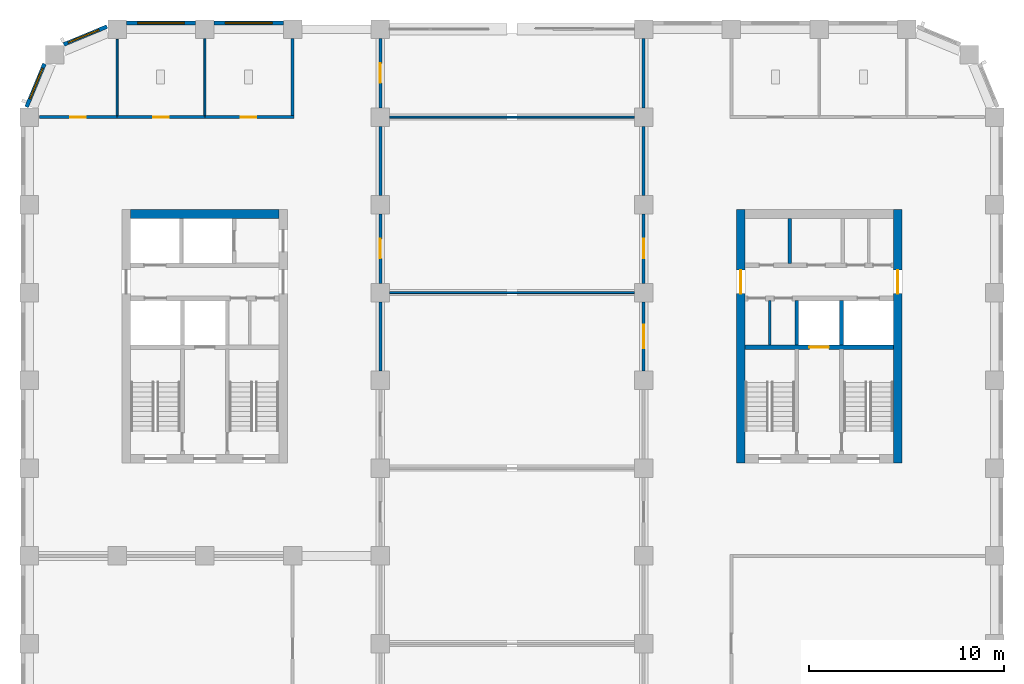
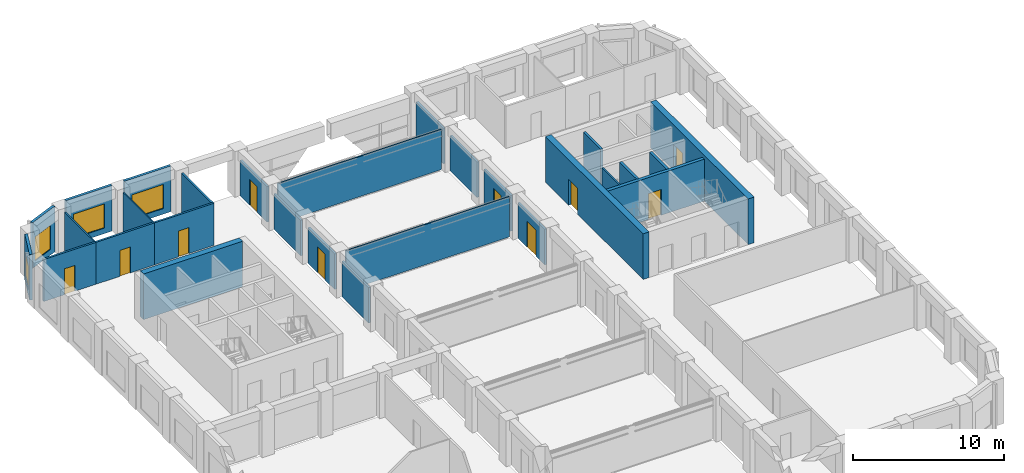
# One storey, part 9 of 14: 28 walls, 10 doors, 4 windows, 14 openings.
"""IFC4 building model written with IfcOpenShell, lengths in metres."""

from ifc_helpers import new_model, si_unit, direction, frame, frame_2d, origin, place, context, subcontext, project, spatial, rectangle, extrude, material, layer, layer_set, type_object, element, fill, save


model = new_model("IFC4")

# Units and contexts
model_context = context("Model", 3, precision=1e-05, world=origin(), true_north=direction((0.0, 1.0)))
body_context = subcontext(model_context, "Body", "Model", "MODEL_VIEW")
ifc_project = project(units=[si_unit("LENGTHUNIT", "METRE"), si_unit("AREAUNIT", "SQUARE_METRE"), si_unit("VOLUMEUNIT", "CUBIC_METRE"), si_unit("PLANEANGLEUNIT", "RADIAN"), si_unit("MASSUNIT", "GRAM", prefix="KILO")], contexts=[model_context])

# Site, building, storey
site_placement = place(None, origin())
site = spatial("IfcSite", under=ifc_project, at=site_placement, CompositionType="ELEMENT")
building_placement = place(site_placement, origin())
building = spatial("IfcBuilding", under=site, at=building_placement, Name="Girih Gate Residences", CompositionType="ELEMENT")
storey_placement = place(building_placement, frame((0.0, 0.0, 172.60009765625)))
storey = spatial("IfcBuildingStorey", under=building, at=storey_placement, Name="L47", CompositionType="ELEMENT", Elevation=172.60009765625)

# Wall, opening, door
ifc_material_1 = material(Name="Gypsum board on steel studs", Category="steel")
ifc_layer_1 = layer(ifc_material_1, 0.14990234375)
ifc_layer_set_1 = layer_set([ifc_layer_1], Name="Compartment wall 150 mm")
wall_type_1 = type_object("IfcWallType", Name="Compartment wall 150 mm", PredefinedType="PARTITIONING", material=ifc_layer_set_1)
wall_1_placement = place(storey_placement, frame((31.5, 31.97509765625, 0.0), z_axis=(0.0, 0.0, 1.0), x_axis=(0.0, 1.0, 0.0)))
wall_1 = element("IfcWall", 1, at=wall_1_placement, inside=storey, type_object=wall_type_1, Name="L47 partition", PredefinedType="PARTITIONING", context=body_context, shape_type="SweptSolid", body=[
    extrude(rectangle(XDim=3.5498046875, YDim=0.14990234375, at=frame_2d((1.77490234375, 0.0))), origin(), (0.0, 0.0, 1.0), 2.8798828125),
])
opening_1_placement = place(wall_1_placement, frame((1.175048828125, 0.0, 0.0)))
opening_1 = element("IfcOpeningElement", 2, at=opening_1_placement, cuts=wall_1, Name="Opening D-L47-S-005", PredefinedType="OPENING", context=body_context, shape_type="SweptSolid", body=[
    extrude(rectangle(XDim=1.199951171875, YDim=2.10009765625, at=frame_2d((0.60009765625, 1.050048828125))), frame((0.0, 0.0849609375, 0.0), z_axis=(0.0, -1.0, 0.0), x_axis=(1.0, 0.0, 0.0)), (0.0, 0.0, 1.0), 0.169921875),
])
ifc_material_2 = material(Name="Timber, fire-rated core", Category="wood")
door_type_1 = type_object("IfcDoorType", Name="Gallery fire door 1200x2100 FD30S", OperationType="SINGLE_SWING_LEFT", PredefinedType="DOOR", material=ifc_material_2)
door_1_placement = place(opening_1_placement, origin())
door_1 = element("IfcDoor", 3, at=door_1_placement, inside=storey, type_object=door_type_1, Name="Door L47-005", OperationType="SINGLE_SWING_LEFT", OverallHeight=2.10009765625, OverallWidth=1.199951171875, PredefinedType="DOOR", context=body_context, shape_type="SweptSolid", body=[
    extrude(rectangle(XDim=1.199951171875, YDim=2.10009765625, at=frame_2d((0.60009765625, 1.050048828125))), frame((0.0, 0.02490234375, 0.0), z_axis=(0.0, -1.0, 0.0), x_axis=(1.0, 0.0, 0.0)), (0.0, 0.0, 1.0), 0.050048828125),
])
fill(opening_1, door_1)

# Wall
wall_2_placement = place(storey_placement, frame((18.0, 31.97509765625, 0.0), z_axis=(0.0, 0.0, 1.0), x_axis=(0.0, 1.0, 0.0)))
element("IfcWall", 4, at=wall_2_placement, inside=storey, type_object=wall_type_1, Name="L47 partition", PredefinedType="PARTITIONING", context=body_context, shape_type="SweptSolid", body=[
    extrude(rectangle(XDim=3.5498046875, YDim=0.14990234375, at=frame_2d((1.77490234375, 0.0))), origin(), (0.0, 0.0, 1.0), 2.8798828125),
])

# Wall, opening, door
wall_3_placement = place(storey_placement, frame((31.5, 36.47509765625, 0.0), z_axis=(0.0, 0.0, 1.0), x_axis=(0.0, 1.0, 0.0)))
wall_3 = element("IfcWall", 5, at=wall_3_placement, inside=storey, type_object=wall_type_1, Name="L47 partition", PredefinedType="PARTITIONING", context=body_context, shape_type="SweptSolid", body=[
    extrude(rectangle(XDim=3.5498046875, YDim=0.14990234375, at=frame_2d((1.77490234375, 0.0))), origin(), (0.0, 0.0, 1.0), 2.8798828125),
])
opening_2_placement = place(wall_3_placement, frame((1.27490234375, 0.0, 0.0)))
opening_2 = element("IfcOpeningElement", 6, at=opening_2_placement, cuts=wall_3, Name="Opening D-L47-S-007", PredefinedType="OPENING", context=body_context, shape_type="SweptSolid", body=[
    extrude(rectangle(XDim=1.0, YDim=2.10009765625, at=frame_2d((0.5, 1.050048828125))), frame((0.0, 0.0849609375, 0.0), z_axis=(0.0, -1.0, 0.0), x_axis=(1.0, 0.0, 0.0)), (0.0, 0.0, 1.0), 0.169921875),
])
door_type_2 = type_object("IfcDoorType", Name="Amenity door 1000x2100 FD30S", OperationType="SINGLE_SWING_LEFT", PredefinedType="DOOR", material=ifc_material_2)
door_2_placement = place(opening_2_placement, origin())
door_2 = element("IfcDoor", 7, at=door_2_placement, inside=storey, type_object=door_type_2, Name="Door L47-007", OperationType="SINGLE_SWING_RIGHT", OverallHeight=2.10009765625, OverallWidth=1.0, PredefinedType="DOOR", context=body_context, shape_type="SweptSolid", body=[
    extrude(rectangle(XDim=1.0, YDim=2.10009765625, at=frame_2d((0.5, 1.050048828125))), frame((0.0, 0.02490234375, 0.0), z_axis=(0.0, -1.0, 0.0), x_axis=(1.0, 0.0, 0.0)), (0.0, 0.0, 1.0), 0.050048828125),
])
fill(opening_2, door_2)

# Wall
wall_4_placement = place(storey_placement, frame((31.5, 40.97509765625, 0.0), z_axis=(0.0, 0.0, 1.0), x_axis=(0.0, 1.0, 0.0)))
element("IfcWall", 8, at=wall_4_placement, inside=storey, type_object=wall_type_1, Name="L47 partition", PredefinedType="PARTITIONING", context=body_context, shape_type="SweptSolid", body=[
    extrude(rectangle(XDim=3.5498046875, YDim=0.14990234375, at=frame_2d((1.77490234375, 0.0))), origin(), (0.0, 0.0, 1.0), 2.8798828125),
])

# Wall, opening, door
wall_5_placement = place(storey_placement, frame((18.0, 40.02490234375, 0.0), z_axis=(0.0, 0.0, 1.0), x_axis=(0.0, -1.0, 0.0)))
wall_5 = element("IfcWall", 9, at=wall_5_placement, inside=storey, type_object=wall_type_1, Name="L47 partition", PredefinedType="PARTITIONING", context=body_context, shape_type="SweptSolid", body=[
    extrude(rectangle(XDim=3.5498046875, YDim=0.14990234375, at=frame_2d((1.77490234375, 0.0))), origin(), (0.0, 0.0, 1.0), 2.8798828125),
])
opening_3_placement = place(wall_5_placement, frame((1.27490234375, 0.0, 0.0)))
opening_3 = element("IfcOpeningElement", 10, at=opening_3_placement, cuts=wall_5, Name="Opening D-L47-S-008", PredefinedType="OPENING", context=body_context, shape_type="SweptSolid", body=[
    extrude(rectangle(XDim=1.0, YDim=2.10009765625, at=frame_2d((0.5, 1.050048828125))), frame((0.0, 0.0849609375, 0.0), z_axis=(0.0, -1.0, 0.0), x_axis=(1.0, 0.0, 0.0)), (0.0, 0.0, 1.0), 0.169921875),
])
door_3_placement = place(opening_3_placement, origin())
door_3 = element("IfcDoor", 11, at=door_3_placement, inside=storey, type_object=door_type_2, Name="Door L47-008", OperationType="SINGLE_SWING_RIGHT", OverallHeight=2.10009765625, OverallWidth=1.0, PredefinedType="DOOR", context=body_context, shape_type="SweptSolid", body=[
    extrude(rectangle(XDim=1.0, YDim=2.10009765625, at=frame_2d((0.5, 1.050048828125))), frame((0.0, 0.02490234375, 0.0), z_axis=(0.0, -1.0, 0.0), x_axis=(1.0, 0.0, 0.0)), (0.0, 0.0, 1.0), 0.050048828125),
])
fill(opening_3, door_3)

# Walls
for number, where, z_axis, x_axis, name in (
    (12, (18.0, 40.97509765625, 0.0), (0.0, 0.0, 1.0), (0.0, 1.0, 0.0), "L47 partition"),
    (13, (31.5, 45.47509765625, 0.0), (0.0, 0.0, 1.0), (0.0, 1.0, 0.0), "L47 partition"),
):
    element("IfcWall", number, at=place(storey_placement, frame(where, z_axis=z_axis, x_axis=x_axis)), inside=storey, type_object=wall_type_1, Name=name, PredefinedType="PARTITIONING", context=body_context, shape_type="SweptSolid", body=[
        extrude(rectangle(XDim=3.5498046875, YDim=0.14990234375, at=frame_2d((1.77490234375, 0.0))), origin(), (0.0, 0.0, 1.0), 2.8798828125),
    ])

# Wall, opening, door
wall_6_placement = place(storey_placement, frame((18.0, 49.02490234375, 0.0), z_axis=(0.0, 0.0, 1.0), x_axis=(0.0, -1.0, 0.0)))
wall_6 = element("IfcWall", 14, at=wall_6_placement, inside=storey, type_object=wall_type_1, Name="L47 partition", PredefinedType="PARTITIONING", context=body_context, shape_type="SweptSolid", body=[
    extrude(rectangle(XDim=3.5498046875, YDim=0.14990234375, at=frame_2d((1.77490234375, 0.0))), origin(), (0.0, 0.0, 1.0), 2.8798828125),
])
opening_4_placement = place(wall_6_placement, frame((1.27490234375, 0.0, 0.0)))
opening_4 = element("IfcOpeningElement", 15, at=opening_4_placement, cuts=wall_6, Name="Opening D-L47-S-009", PredefinedType="OPENING", context=body_context, shape_type="SweptSolid", body=[
    extrude(rectangle(XDim=1.0, YDim=2.10009765625, at=frame_2d((0.5, 1.050048828125))), frame((0.0, 0.0849609375, 0.0), z_axis=(0.0, -1.0, 0.0), x_axis=(1.0, 0.0, 0.0)), (0.0, 0.0, 1.0), 0.169921875),
])
door_4_placement = place(opening_4_placement, origin())
door_4 = element("IfcDoor", 16, at=door_4_placement, inside=storey, type_object=door_type_2, Name="Door L47-009", OperationType="SINGLE_SWING_RIGHT", OverallHeight=2.10009765625, OverallWidth=1.0, PredefinedType="DOOR", context=body_context, shape_type="SweptSolid", body=[
    extrude(rectangle(XDim=1.0, YDim=2.10009765625, at=frame_2d((0.5, 1.050048828125))), frame((0.0, 0.02490234375, 0.0), z_axis=(0.0, -1.0, 0.0), x_axis=(1.0, 0.0, 0.0)), (0.0, 0.0, 1.0), 0.050048828125),
])
fill(opening_4, door_4)

wall_7_placement = place(storey_placement, frame((0.51416015625, 45.0, 0.0), z_axis=(0.0, 0.0, 1.0), x_axis=(1.0, 0.0, 0.0)))
wall_7 = element("IfcWall", 17, at=wall_7_placement, inside=storey, type_object=wall_type_1, Name="L47 partition", PredefinedType="PARTITIONING", context=body_context, shape_type="SweptSolid", body=[
    extrude(rectangle(XDim=3.98583984375, YDim=0.14990234375, at=frame_2d((1.992919921875, 0.0))), origin(), (0.0, 0.0, 1.0), 3.39990234375),
])
opening_5_placement = place(wall_7_placement, frame((1.593017578125, 0.0, 0.0)))
opening_5 = element("IfcOpeningElement", 18, at=opening_5_placement, cuts=wall_7, Name="Opening D-L47-S-016", PredefinedType="OPENING", context=body_context, shape_type="SweptSolid", body=[
    extrude(rectangle(XDim=0.800048828125, YDim=2.10009765625, at=frame_2d((0.39990234375, 1.050048828125))), frame((0.0, 0.0849609375, 0.0), z_axis=(0.0, -1.0, 0.0), x_axis=(1.0, 0.0, 0.0)), (0.0, 0.0, 1.0), 0.169921875),
])
ifc_material_3 = material(Name="Timber", Category="wood")
door_type_3 = type_object("IfcDoorType", Name="WC and store door 800x2100", OperationType="SINGLE_SWING_LEFT", PredefinedType="DOOR", material=ifc_material_3)
door_5_placement = place(opening_5_placement, origin())
door_5 = element("IfcDoor", 19, at=door_5_placement, inside=storey, type_object=door_type_3, Name="Door L47-016", OperationType="SINGLE_SWING_LEFT", OverallHeight=2.10009765625, OverallWidth=0.800048828125, PredefinedType="DOOR", context=body_context, shape_type="SweptSolid", body=[
    extrude(rectangle(XDim=0.800048828125, YDim=2.10009765625, at=frame_2d((0.39990234375, 1.050048828125))), frame((0.0, 0.02490234375, 0.0), z_axis=(0.0, -1.0, 0.0), x_axis=(1.0, 0.0, 0.0)), (0.0, 0.0, 1.0), 0.050048828125),
])
fill(opening_5, door_5)

wall_8_placement = place(storey_placement, frame((4.5, 45.0, 0.0), z_axis=(0.0, 0.0, 1.0), x_axis=(1.0, 0.0, 0.0)))
wall_8 = element("IfcWall", 20, at=wall_8_placement, inside=storey, type_object=wall_type_1, Name="L47 partition", PredefinedType="PARTITIONING", context=body_context, shape_type="SweptSolid", body=[
    extrude(rectangle(XDim=4.5, YDim=0.14990234375, at=frame_2d((2.25, 0.0))), origin(), (0.0, 0.0, 1.0), 3.39990234375),
])
opening_6_placement = place(wall_8_placement, frame((1.85009765625, 0.0, 0.0)))
opening_6 = element("IfcOpeningElement", 21, at=opening_6_placement, cuts=wall_8, Name="Opening D-L47-S-017", PredefinedType="OPENING", context=body_context, shape_type="SweptSolid", body=[
    extrude(rectangle(XDim=0.800048828125, YDim=2.10009765625, at=frame_2d((0.39990234375, 1.050048828125))), frame((0.0, 0.0849609375, 0.0), z_axis=(0.0, -1.0, 0.0), x_axis=(1.0, 0.0, 0.0)), (0.0, 0.0, 1.0), 0.169921875),
])
door_6_placement = place(opening_6_placement, origin())
door_6 = element("IfcDoor", 22, at=door_6_placement, inside=storey, type_object=door_type_3, Name="Door L47-017", OperationType="SINGLE_SWING_RIGHT", OverallHeight=2.10009765625, OverallWidth=0.800048828125, PredefinedType="DOOR", context=body_context, shape_type="SweptSolid", body=[
    extrude(rectangle(XDim=0.800048828125, YDim=2.10009765625, at=frame_2d((0.39990234375, 1.050048828125))), frame((0.0, 0.02490234375, 0.0), z_axis=(0.0, -1.0, 0.0), x_axis=(1.0, 0.0, 0.0)), (0.0, 0.0, 1.0), 0.050048828125),
])
fill(opening_6, door_6)

# Wall
wall_9_placement = place(storey_placement, frame((13.5, 45.074951171875, 0.0), z_axis=(0.0, 0.0, 1.0), x_axis=(0.0, 1.0, 0.0)))
element("IfcWall", 23, at=wall_9_placement, inside=storey, type_object=wall_type_1, Name="L47 partition", PredefinedType="PARTITIONING", context=body_context, shape_type="SweptSolid", body=[
    extrude(rectangle(XDim=3.949951171875, YDim=0.14990234375, at=frame_2d((1.97509765625, 0.0))), origin(), (0.0, 0.0, 1.0), 3.39990234375),
])

# Wall, opening, door
wall_10_placement = place(storey_placement, frame((9.0, 45.0, 0.0), z_axis=(0.0, 0.0, 1.0), x_axis=(1.0, 0.0, 0.0)))
wall_10 = element("IfcWall", 24, at=wall_10_placement, inside=storey, type_object=wall_type_1, Name="L47 partition", PredefinedType="PARTITIONING", context=body_context, shape_type="SweptSolid", body=[
    extrude(rectangle(XDim=4.574951171875, YDim=0.14990234375, at=frame_2d((2.28759765625, 0.0))), origin(), (0.0, 0.0, 1.0), 3.39990234375),
])
opening_7_placement = place(wall_10_placement, frame((1.85009765625, 0.0, 0.0)))
opening_7 = element("IfcOpeningElement", 25, at=opening_7_placement, cuts=wall_10, Name="Opening D-L47-S-018", PredefinedType="OPENING", context=body_context, shape_type="SweptSolid", body=[
    extrude(rectangle(XDim=0.800048828125, YDim=2.10009765625, at=frame_2d((0.39990234375, 1.050048828125))), frame((0.0, 0.0849609375, 0.0), z_axis=(0.0, -1.0, 0.0), x_axis=(1.0, 0.0, 0.0)), (0.0, 0.0, 1.0), 0.169921875),
])
door_7_placement = place(opening_7_placement, origin())
door_7 = element("IfcDoor", 26, at=door_7_placement, inside=storey, type_object=door_type_3, Name="Door L47-018", OperationType="SINGLE_SWING_LEFT", OverallHeight=2.10009765625, OverallWidth=0.800048828125, PredefinedType="DOOR", context=body_context, shape_type="SweptSolid", body=[
    extrude(rectangle(XDim=0.800048828125, YDim=2.10009765625, at=frame_2d((0.39990234375, 1.050048828125))), frame((0.0, 0.02490234375, 0.0), z_axis=(0.0, -1.0, 0.0), x_axis=(1.0, 0.0, 0.0)), (0.0, 0.0, 1.0), 0.050048828125),
])
fill(opening_7, door_7)

# Wall
ifc_material_4 = material(Name="Concrete C60/75", Category="concrete")
ifc_layer_2 = layer(ifc_material_4, 0.449951171875)
ifc_layer_set_2 = layer_set([ifc_layer_2], Name="Core wall RC 450 Concrete C60/75")
wall_type_2 = type_object("IfcWallType", Name="Core wall RC 450 Concrete C60/75", PredefinedType="SOLIDWALL", material=ifc_layer_set_2)
wall_11_placement = place(storey_placement, frame((5.199951171875, 40.02490234375, 0.0), z_axis=(0.0, 0.0, 1.0), x_axis=(1.0, 0.0, 0.0)))
element("IfcWall", 27, at=wall_11_placement, inside=storey, type_object=wall_type_2, Name="Core wall W-N L47", PredefinedType="SOLIDWALL", context=body_context, shape_type="SweptSolid", body=[
    extrude(rectangle(XDim=7.60009765625, YDim=0.449951171875, at=frame_2d((3.800048828125, 0.0))), origin(), (0.0, 0.0, 1.0), 3.699951171875),
])

# Wall, opening, door
wall_12_placement = place(storey_placement, frame((36.47509765625, 27.25, 0.0), z_axis=(0.0, 0.0, 1.0), x_axis=(0.0, 1.0, 0.0)))
wall_12 = element("IfcWall", 28, at=wall_12_placement, inside=storey, type_object=wall_type_2, Name="Core wall E-W L47", PredefinedType="SOLIDWALL", context=body_context, shape_type="SweptSolid", body=[
    extrude(rectangle(XDim=13.0, YDim=0.449951171875, at=frame_2d((6.5, 0.0))), origin(), (0.0, 0.0, 1.0), 3.699951171875),
])
opening_8_placement = place(wall_12_placement, frame((8.699951171875, 0.0, 0.0)))
opening_8 = element("IfcOpeningElement", 29, at=opening_8_placement, cuts=wall_12, Name="Opening D-L47-E-014", PredefinedType="OPENING", context=body_context, shape_type="SweptSolid", body=[
    extrude(rectangle(XDim=1.199951171875, YDim=2.10009765625, at=frame_2d((0.60009765625, 1.050048828125))), frame((0.0, 0.23486328125, 0.0), z_axis=(0.0, -1.0, 0.0), x_axis=(1.0, 0.0, 0.0)), (0.0, 0.0, 1.0), 0.469970703125),
])
ifc_material_5 = material(Name="Painted steel, fire-resisting", Category="steel")
door_type_4 = type_object("IfcDoorType", Name="Fire door 1200x2100", OperationType="SINGLE_SWING_LEFT", PredefinedType="DOOR", material=ifc_material_5)
door_8_placement = place(opening_8_placement, origin())
door_8 = element("IfcDoor", 30, at=door_8_placement, inside=storey, type_object=door_type_4, Name="L47 E core door ll-w", OperationType="SINGLE_SWING_LEFT", OverallHeight=2.10009765625, OverallWidth=1.199951171875, PredefinedType="DOOR", context=body_context, shape_type="SweptSolid", body=[
    extrude(rectangle(XDim=1.199951171875, YDim=2.10009765625, at=frame_2d((0.60009765625, 1.050048828125))), frame((0.0, 0.02490234375, 0.0), z_axis=(0.0, -1.0, 0.0), x_axis=(1.0, 0.0, 0.0)), (0.0, 0.0, 1.0), 0.050048828125),
])
fill(opening_8, door_8)

wall_13_placement = place(storey_placement, frame((44.52490234375, 27.25, 0.0), z_axis=(0.0, 0.0, 1.0), x_axis=(0.0, 1.0, 0.0)))
wall_13 = element("IfcWall", 31, at=wall_13_placement, inside=storey, type_object=wall_type_2, Name="Core wall E-E L47", PredefinedType="SOLIDWALL", context=body_context, shape_type="SweptSolid", body=[
    extrude(rectangle(XDim=13.0, YDim=0.449951171875, at=frame_2d((6.5, 0.0))), origin(), (0.0, 0.0, 1.0), 3.699951171875),
])
opening_9_placement = place(wall_13_placement, frame((8.699951171875, 0.0, 0.0)))
opening_9 = element("IfcOpeningElement", 32, at=opening_9_placement, cuts=wall_13, Name="Opening D-L47-E-015", PredefinedType="OPENING", context=body_context, shape_type="SweptSolid", body=[
    extrude(rectangle(XDim=1.199951171875, YDim=2.10009765625, at=frame_2d((0.60009765625, 1.050048828125))), frame((0.0, 0.23486328125, 0.0), z_axis=(0.0, -1.0, 0.0), x_axis=(1.0, 0.0, 0.0)), (0.0, 0.0, 1.0), 0.469970703125),
])
door_9_placement = place(opening_9_placement, origin())
door_9 = element("IfcDoor", 33, at=door_9_placement, inside=storey, type_object=door_type_4, Name="L47 E core door ll-e", OperationType="SINGLE_SWING_LEFT", OverallHeight=2.10009765625, OverallWidth=1.199951171875, PredefinedType="DOOR", context=body_context, shape_type="SweptSolid", body=[
    extrude(rectangle(XDim=1.199951171875, YDim=2.10009765625, at=frame_2d((0.60009765625, 1.050048828125))), frame((0.0, 0.02490234375, 0.0), z_axis=(0.0, -1.0, 0.0), x_axis=(1.0, 0.0, 0.0)), (0.0, 0.0, 1.0), 0.050048828125),
])
fill(opening_9, door_9)

ifc_material_6 = material(Name="Concrete C40/50", Category="concrete")
ifc_layer_3 = layer(ifc_material_6, 0.25)
ifc_layer_set_3 = layer_set([ifc_layer_3], Name="Lift shaft wall 250")
wall_type_3 = type_object("IfcWallType", Name="Lift shaft wall 250", PredefinedType="SOLIDWALL", material=ifc_layer_set_3)
wall_14_placement = place(storey_placement, frame((36.699951171875, 33.199951171875, 0.0), z_axis=(0.0, 0.0, 1.0), x_axis=(1.0, 0.0, 0.0)))
wall_14 = element("IfcWall", 34, at=wall_14_placement, inside=storey, type_object=wall_type_3, Name="L47 E core wall H1", PredefinedType="SOLIDWALL", context=body_context, shape_type="SweptSolid", body=[
    extrude(rectangle(XDim=7.60009765625, YDim=0.25, at=frame_2d((3.800048828125, 0.0))), origin(), (0.0, 0.0, 1.0), 3.39990234375),
])
opening_10_placement = place(wall_14_placement, frame((3.300048828125, 0.0, 0.0)))
opening_10 = element("IfcOpeningElement", 35, at=opening_10_placement, cuts=wall_14, Name="Opening D-L47-E-004", PredefinedType="OPENING", context=body_context, shape_type="SweptSolid", body=[
    extrude(rectangle(XDim=1.0, YDim=2.10009765625, at=frame_2d((0.5, 1.050048828125))), frame((0.0, 0.135009765625, 0.0), z_axis=(0.0, -1.0, 0.0), x_axis=(1.0, 0.0, 0.0)), (0.0, 0.0, 1.0), 0.27001953125),
])
ifc_material_7 = material(Name="Stainless steel, fire-resisting", Category="steel")
door_type_5 = type_object("IfcDoorType", Name="Firefighting lift landing door 1000x2100", OperationType="SLIDING_TO_LEFT", PredefinedType="DOOR", material=ifc_material_7)
door_10_placement = place(opening_10_placement, origin())
door_10 = element("IfcDoor", 36, at=door_10_placement, inside=storey, type_object=door_type_5, Name="L47 lift FF-E landing door", OperationType="SLIDING_TO_LEFT", OverallHeight=2.10009765625, OverallWidth=1.0, PredefinedType="DOOR", context=body_context, shape_type="SweptSolid", body=[
    extrude(rectangle(XDim=1.0, YDim=2.10009765625, at=frame_2d((0.5, 1.050048828125))), frame((0.0, 0.02490234375, 0.0), z_axis=(0.0, -1.0, 0.0), x_axis=(1.0, 0.0, 0.0)), (0.0, 0.0, 1.0), 0.050048828125),
])
fill(opening_10, door_10)

# Walls
ifc_layer_4 = layer(ifc_material_1, 0.10009765625)
ifc_layer_set_4 = layer_set([ifc_layer_4], Name="Partition 100 mm")
wall_type_4 = type_object("IfcWallType", Name="Partition 100 mm", PredefinedType="PARTITIONING", material=ifc_layer_set_4)
for number, where, z_axis, x_axis, name in (
    (37, (18.47509765625, 36.0, 0.0), (0.0, 0.0, 1.0), (1.0, 0.0, 0.0), "L47 partition"),
    (38, (18.47509765625, 45.0, 0.0), (0.0, 0.0, 1.0), (1.0, 0.0, 0.0), "L47 partition"),
):
    element("IfcWall", number, at=place(storey_placement, frame(where, z_axis=z_axis, x_axis=x_axis)), inside=storey, type_object=wall_type_4, Name=name, PredefinedType="PARTITIONING", context=body_context, shape_type="SweptSolid", body=[
        extrude(rectangle(XDim=12.5498046875, YDim=0.10009765625, at=frame_2d((6.27490234375, 0.0))), origin(), (0.0, 0.0, 1.0), 3.25),
    ])
wall_15_placement = place(storey_placement, frame((4.5, 45.074951171875, 0.0), z_axis=(0.0, 0.0, 1.0), x_axis=(0.0, 1.0, 0.0)))
element("IfcWall", 39, at=wall_15_placement, inside=storey, type_object=wall_type_4, Name="L47 partition", PredefinedType="PARTITIONING", context=body_context, shape_type="SweptSolid", body=[
    extrude(rectangle(XDim=3.910888671875, YDim=0.10009765625, at=frame_2d((1.95556640625, 0.0))), origin(), (0.0, 0.0, 1.0), 3.39990234375),
])
wall_16_placement = place(storey_placement, frame((9.0, 45.074951171875, 0.0), z_axis=(0.0, 0.0, 1.0), x_axis=(0.0, 1.0, 0.0)))
element("IfcWall", 40, at=wall_16_placement, inside=storey, type_object=wall_type_4, Name="L47 partition", PredefinedType="PARTITIONING", context=body_context, shape_type="SweptSolid", body=[
    extrude(rectangle(XDim=3.949951171875, YDim=0.10009765625, at=frame_2d((1.97509765625, 0.0))), origin(), (0.0, 0.0, 1.0), 3.39990234375),
])

# Wall, opening, window
ifc_material_8 = material(Name="Precast concrete C50/60", Category="concrete")
ifc_layer_5 = layer(ifc_material_8, 0.06005859375, Name="Outer leaf")
ifc_material_9 = material(Name="Rigid PIR insulation")
ifc_layer_6 = layer(ifc_material_9, 0.090087890625, Name="Insulation")
ifc_material_10 = material(Name="Precast concrete C40/50", Category="concrete")
ifc_layer_7 = layer(ifc_material_10, 0.050048828125, Name="Inner leaf")
ifc_layer_set_5 = layer_set([ifc_layer_5, ifc_layer_6, ifc_layer_7], Name="Precast concrete C50/60 external wall 200")
wall_type_5 = type_object("IfcWallType", Name="Precast concrete C50/60 external wall 200", PredefinedType="SOLIDWALL", material=ifc_layer_set_5)
wall_17_placement = place(storey_placement, frame((9.47509765625, 49.824951171875, 0.0), z_axis=(0.0, 0.0, 1.0), x_axis=(1.0, 0.0, 0.0)))
wall_17 = element("IfcWall", 41, at=wall_17_placement, inside=storey, type_object=wall_type_5, Name="External wall N0450_0495.7", PredefinedType="SOLIDWALL", context=body_context, shape_type="SweptSolid", body=[
    extrude(rectangle(XDim=3.5498046875, YDim=0.199951171875, at=frame_2d((1.77490234375, 0.0))), origin(), (0.0, 0.0, 1.0), 3.699951171875),
])
opening_11_placement = place(wall_17_placement, frame((0.574951171875, 0.0, 0.449951171875)))
opening_11 = element("IfcOpeningElement", 42, at=opening_11_placement, cuts=wall_17, Name="Opening W-1C", PredefinedType="OPENING", context=body_context, shape_type="SweptSolid", body=[
    extrude(rectangle(XDim=2.39990234375, YDim=1.949951171875, at=frame_2d((1.199951171875, 0.97509765625))), frame((0.0, 0.10986328125, 0.0), z_axis=(0.0, -1.0, 0.0), x_axis=(1.0, 0.0, 0.0)), (0.0, 0.0, 1.0), 0.219970703125),
])
ifc_material_11 = material(Name="Double glazing in aluminium frame", Category="aluminium")
window_type_1 = type_object("IfcWindowType", Name="Window W-1C 2400x1950", PartitioningType="SINGLE_PANEL", PredefinedType="WINDOW", material=ifc_material_11)
window_1_placement = place(opening_11_placement, origin())
window_1 = element("IfcWindow", 43, at=window_1_placement, inside=storey, type_object=window_type_1, Name="Window W-1C N0450_0495.7", OverallHeight=1.949951171875, OverallWidth=2.39990234375, PartitioningType="SINGLE_PANEL", PredefinedType="WINDOW", context=body_context, shape_type="SweptSolid", body=[
    extrude(rectangle(XDim=2.39990234375, YDim=1.949951171875, at=frame_2d((1.199951171875, 0.97509765625))), frame((0.0, 0.030029296875, 0.0), z_axis=(0.0, -1.0, 0.0), x_axis=(1.0, 0.0, 0.0)), (0.0, 0.0, 1.0), 0.06005859375),
])
fill(opening_11, window_1)

wall_18_placement = place(storey_placement, frame((4.97509765625, 49.824951171875, 0.0), z_axis=(0.0, 0.0, 1.0), x_axis=(1.0, 0.0, 0.0)))
wall_18 = element("IfcWall", 44, at=wall_18_placement, inside=storey, type_object=wall_type_5, Name="External wall N0450_0495.8", PredefinedType="SOLIDWALL", context=body_context, shape_type="SweptSolid", body=[
    extrude(rectangle(XDim=3.5498046875, YDim=0.199951171875, at=frame_2d((1.77490234375, 0.0))), origin(), (0.0, 0.0, 1.0), 3.699951171875),
])
opening_12_placement = place(wall_18_placement, frame((0.574951171875, 0.0, 0.449951171875)))
opening_12 = element("IfcOpeningElement", 45, at=opening_12_placement, cuts=wall_18, Name="Opening W-1C", PredefinedType="OPENING", context=body_context, shape_type="SweptSolid", body=[
    extrude(rectangle(XDim=2.39990234375, YDim=1.949951171875, at=frame_2d((1.199951171875, 0.97509765625))), frame((0.0, 0.10986328125, 0.0), z_axis=(0.0, -1.0, 0.0), x_axis=(1.0, 0.0, 0.0)), (0.0, 0.0, 1.0), 0.219970703125),
])
window_2_placement = place(opening_12_placement, origin())
window_2 = element("IfcWindow", 46, at=window_2_placement, inside=storey, type_object=window_type_1, Name="Window W-1C N0450_0495.8", OverallHeight=1.949951171875, OverallWidth=2.39990234375, PartitioningType="SINGLE_PANEL", PredefinedType="WINDOW", context=body_context, shape_type="SweptSolid", body=[
    extrude(rectangle(XDim=2.39990234375, YDim=1.949951171875, at=frame_2d((1.199951171875, 0.97509765625))), frame((0.0, 0.030029296875, 0.0), z_axis=(0.0, -1.0, 0.0), x_axis=(1.0, 0.0, 0.0)), (0.0, 0.0, 1.0), 0.06005859375),
])
fill(opening_12, window_2)

wall_19_placement = place(storey_placement, frame((1.76708984375, 48.7197265625, 0.0), z_axis=(0.0, 0.0, 1.0), x_axis=(0.923880599843, 0.382680855588, 0.0)))
wall_19 = element("IfcWall", 47, at=wall_19_placement, inside=storey, type_object=wall_type_5, Name="External wall NW0045_0495.0", PredefinedType="SOLIDWALL", context=body_context, shape_type="SweptSolid", body=[
    extrude(rectangle(XDim=2.402587890625, YDim=0.199951171875, at=frame_2d((1.201171875, 0.0))), origin(), (0.0, 0.0, 1.0), 3.699951171875),
])
opening_13_placement = place(wall_19_placement, frame((0.25146484375, 0.0, 0.449951171875)))
opening_13 = element("IfcOpeningElement", 48, at=opening_13_placement, cuts=wall_19, Name="Opening W-2E", PredefinedType="OPENING", context=body_context, shape_type="SweptSolid", body=[
    extrude(rectangle(XDim=1.699951171875, YDim=1.949951171875, at=frame_2d((0.85009765625, 0.97509765625))), frame((0.0, 0.10986328125, 0.0), z_axis=(0.0, -1.0, 0.0), x_axis=(1.0, 0.0, 0.0)), (0.0, 0.0, 1.0), 0.219970703125),
])
window_type_2 = type_object("IfcWindowType", Name="Window W-2E 1700x1950", PartitioningType="SINGLE_PANEL", PredefinedType="WINDOW", material=ifc_material_11)
window_3_placement = place(opening_13_placement, origin())
window_3 = element("IfcWindow", 49, at=window_3_placement, inside=storey, type_object=window_type_2, Name="Window W-2E NW0045_0495.0", OverallHeight=1.949951171875, OverallWidth=1.699951171875, PartitioningType="SINGLE_PANEL", PredefinedType="WINDOW", context=body_context, shape_type="SweptSolid", body=[
    extrude(rectangle(XDim=1.699951171875, YDim=1.949951171875, at=frame_2d((0.85009765625, 0.97509765625))), frame((0.0, 0.030029296875, 0.0), z_axis=(0.0, -1.0, 0.0), x_axis=(1.0, 0.0, 0.0)), (0.0, 0.0, 1.0), 0.06005859375),
])
fill(opening_13, window_3)

wall_20_placement = place(storey_placement, frame((-0.13916015625, 45.51318359375, 0.0), z_axis=(0.0, 0.0, 1.0), x_axis=(0.382680855588, 0.923880599843, 0.0)))
wall_20 = element("IfcWall", 50, at=wall_20_placement, inside=storey, type_object=wall_type_5, Name="External wall NW0013_0482.0", PredefinedType="SOLIDWALL", context=body_context, shape_type="SweptSolid", body=[
    extrude(rectangle(XDim=2.402587890625, YDim=0.199951171875, at=frame_2d((1.201171875, 0.0))), origin(), (0.0, 0.0, 1.0), 3.699951171875),
])
opening_14_placement = place(wall_20_placement, frame((0.451171875, 0.0, 0.449951171875)))
opening_14 = element("IfcOpeningElement", 51, at=opening_14_placement, cuts=wall_20, Name="Opening W-2E", PredefinedType="OPENING", context=body_context, shape_type="SweptSolid", body=[
    extrude(rectangle(XDim=1.699951171875, YDim=1.949951171875, at=frame_2d((0.85009765625, 0.97509765625))), frame((0.0, 0.10986328125, 0.0), z_axis=(0.0, -1.0, 0.0), x_axis=(1.0, 0.0, 0.0)), (0.0, 0.0, 1.0), 0.219970703125),
])
window_4_placement = place(opening_14_placement, origin())
window_4 = element("IfcWindow", 52, at=window_4_placement, inside=storey, type_object=window_type_2, Name="Window W-2E NW0013_0482.0", OverallHeight=1.949951171875, OverallWidth=1.699951171875, PartitioningType="SINGLE_PANEL", PredefinedType="WINDOW", context=body_context, shape_type="SweptSolid", body=[
    extrude(rectangle(XDim=1.699951171875, YDim=1.949951171875, at=frame_2d((0.85009765625, 0.97509765625))), frame((0.0, 0.030029296875, 0.0), z_axis=(0.0, -1.0, 0.0), x_axis=(1.0, 0.0, 0.0)), (0.0, 0.0, 1.0), 0.06005859375),
])
fill(opening_14, window_4)

# Walls
ifc_layer_8 = layer(ifc_material_6, 0.175048828125)
ifc_layer_set_6 = layer_set([ifc_layer_8], Name="Riser shaft wall 175")
wall_type_6 = type_object("IfcWallType", Name="Riser shaft wall 175", PredefinedType="SOLIDWALL", material=ifc_layer_set_6)
wall_21_placement = place(storey_placement, frame((39.0, 37.5, 0.0), z_axis=(0.0, 0.0, 1.0), x_axis=(0.0, 1.0, 0.0)))
element("IfcWall", 53, at=wall_21_placement, inside=storey, type_object=wall_type_6, Name="L47 E core wall V2c", PredefinedType="SOLIDWALL", context=body_context, shape_type="SweptSolid", body=[
    extrude(rectangle(XDim=2.300048828125, YDim=0.175048828125, at=frame_2d((1.14990234375, 0.0))), origin(), (0.0, 0.0, 1.0), 3.39990234375),
])
ifc_layer_9 = layer(ifc_material_6, 0.199951171875)
ifc_layer_set_7 = layer_set([ifc_layer_9], Name="Shaft wall 200")
wall_type_7 = type_object("IfcWallType", Name="Shaft wall 200", PredefinedType="SOLIDWALL", material=ifc_layer_set_7)
for number, where, z_axis, x_axis, name in (
    (54, (41.64990234375, 33.300048828125, 0.0), (0.0, 0.0, 1.0), (0.0, 1.0, 0.0), "L47 E core wall V1b"),
    (55, (39.35009765625, 33.300048828125, 0.0), (0.0, 0.0, 1.0), (0.0, 1.0, 0.0), "L47 E core wall V2b"),
):
    element("IfcWall", number, at=place(storey_placement, frame(where, z_axis=z_axis, x_axis=x_axis)), inside=storey, type_object=wall_type_7, Name=name, PredefinedType="SOLIDWALL", context=body_context, shape_type="SweptSolid", body=[
        extrude(rectangle(XDim=2.300048828125, YDim=0.199951171875, at=frame_2d((1.14990234375, 0.0))), origin(), (0.0, 0.0, 1.0), 3.39990234375),
    ])
ifc_material_12 = material(Name="Calcium silicate blockwork", Category="masonry")
ifc_layer_10 = layer(ifc_material_12, 0.125)
ifc_layer_set_8 = layer_set([ifc_layer_10], Name="Store partition 125")
wall_type_8 = type_object("IfcWallType", Name="Store partition 125", PredefinedType="PARTITIONING", material=ifc_layer_set_8)
wall_22_placement = place(storey_placement, frame((37.97509765625, 33.300048828125, 0.0), z_axis=(0.0, 0.0, 1.0), x_axis=(0.0, 1.0, 0.0)))
element("IfcWall", 56, at=wall_22_placement, inside=storey, type_object=wall_type_8, Name="L47 E core wall SHR2", PredefinedType="PARTITIONING", context=body_context, shape_type="SweptSolid", body=[
    extrude(rectangle(XDim=2.300048828125, YDim=0.125, at=frame_2d((1.14990234375, 0.0))), origin(), (0.0, 0.0, 1.0), 3.39990234375),
])

save(model, "model.ifc")
